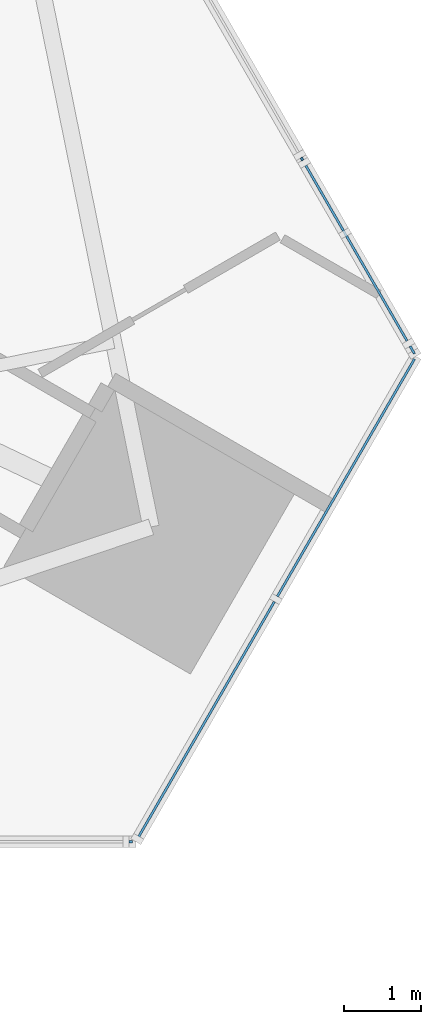
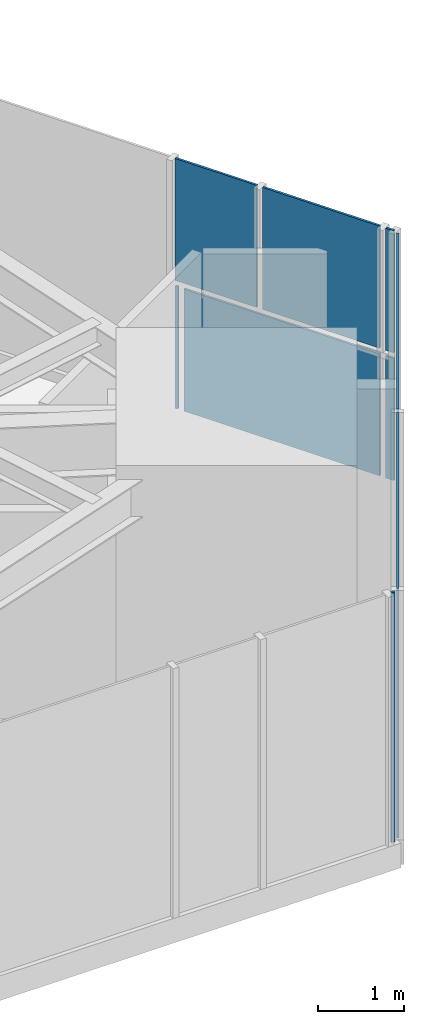
# One storey, part 18 of 32: 9 plates, 3 elements without a shape of their own.
"""IFC4 building model written with IfcOpenShell, lengths in metres."""

from ifc_helpers import new_model, si_unit, direction, frame, origin, place, context, subcontext, project, spatial, polyline, outline, extrude, material, layer, layer_set, type_object, element, aggregate, save


model = new_model("IFC4")

# Units and contexts
model_context = context("Model", 3, precision=1e-05, world=origin(), true_north=direction((0.0, 1.0)))
body_context = subcontext(model_context, "Body", "Model", "MODEL_VIEW")
ifc_project = project(units=[si_unit("LENGTHUNIT", "METRE"), si_unit("AREAUNIT", "SQUARE_METRE"), si_unit("VOLUMEUNIT", "CUBIC_METRE"), si_unit("PLANEANGLEUNIT", "RADIAN"), si_unit("MASSUNIT", "GRAM", prefix="KILO")], contexts=[model_context])

# Site, building, storey
site_placement = place(None, origin())
site = spatial("IfcSite", under=ifc_project, at=site_placement, CompositionType="ELEMENT")
building_placement = place(site_placement, origin())
building = spatial("IfcBuilding", under=site, at=building_placement, Name="Firuza Gate Tower and Library", CompositionType="ELEMENT")
storey_placement = place(building_placement, frame((0.0, 0.0, 163.60009765625)))
storey = spatial("IfcBuildingStorey", under=building, at=storey_placement, Name="L37", CompositionType="ELEMENT", Elevation=163.60009765625)

# Curtain wall, plates
ifc_material_1 = material(Name="Aluminium 6063-T6", Category="aluminium")
ifc_layer_1 = layer(ifc_material_1, 0.14990234375)
ifc_layer_set_1 = layer_set([ifc_layer_1], Name="Corner curtain wall, chamfers")
curtain_wall_type_1 = type_object("IfcCurtainWallType", Name="Corner curtain wall, chamfers", PredefinedType="NOTDEFINED", material=ifc_layer_set_1)
placement = place(storey_placement, origin())
curtain_wall_1 = element("IfcCurtainWall", 1, at=placement, inside=storey, type_object=curtain_wall_type_1, Name="CW4 L37 SE corner", PredefinedType="NOTDEFINED")
ifc_material_2 = material(Name="Fritted glass", Category="glass")
ifc_layer_2 = layer(ifc_material_2, 0.030029296875)
ifc_layer_set_2 = layer_set([ifc_layer_2], Name="Fritted glass unit, corners")
plate_type_1 = type_object("IfcPlateType", Name="Fritted glass unit, corners", PredefinedType="CURTAIN_PANEL", material=ifc_layer_set_2)
plate_1_placement = place(storey_placement, frame((102.23828125, 55.11328125, 0.14990234375), z_axis=(0.866046390552, -0.49996364809, 0.0), x_axis=(0.49996364809, 0.866046390552, 0.0)))
plate_1 = element("IfcPlate", 2, at=plate_1_placement, type_object=plate_type_1, Name="Glass unit", PredefinedType="CURTAIN_PANEL", context=body_context, shape_type="SweptSolid", body=[
    extrude(outline(polyline([(0.0, 0.0), (3.563247342942594, 0.0), (3.563247342942594, 3.550048828125), (0.0, 3.550048828125), (0.0, 0.0)])), origin(), (0.0, 0.0, -1.0), 0.030029296875),
])
plate_2_placement = place(storey_placement, frame((104.059814453125, 58.2685546875, 0.14990234375), z_axis=(0.866016723041, -0.500015035186, 0.0), x_axis=(0.500015035186, 0.866016723041, 0.0)))
plate_2 = element("IfcPlate", 3, at=plate_2_placement, type_object=plate_type_1, Name="Glass unit", PredefinedType="CURTAIN_PANEL", context=body_context, shape_type="SweptSolid", body=[
    extrude(outline(polyline([(0.0, 0.0), (3.5633694106530625, 0.0), (3.5633694106530625, 3.550048828125), (0.0, 3.550048828125), (0.0, 0.0)])), origin(), (0.0, 0.0, -1.0), 0.030029296875),
])
aggregate(curtain_wall_1, [plate_1, plate_2])

ifc_material_3 = material(Name="Aluminium 6063-T6", Category="aluminium")
ifc_layer_3 = layer(ifc_material_3, 0.14990234375)
ifc_layer_set_3 = layer_set([ifc_layer_3], Name="Unitised curtain wall, hotel")
curtain_wall_type_2 = type_object("IfcCurtainWallType", Name="Unitised curtain wall, hotel", PredefinedType="NOTDEFINED", material=ifc_layer_set_3)
curtain_wall_2 = element("IfcCurtainWall", 4, at=placement, inside=storey, type_object=curtain_wall_type_2, Name="CW2 L37 E face", PredefinedType="NOTDEFINED")
ifc_material_4 = material(Name="Fritted glass", Category="glass")
ifc_layer_4 = layer(ifc_material_4, 0.030029296875)
ifc_layer_set_4 = layer_set([ifc_layer_4], Name="Fritted glass unit, hotel")
plate_type_2 = type_object("IfcPlateType", Name="Fritted glass unit, hotel", PredefinedType="CURTAIN_PANEL", material=ifc_layer_set_4)
plate_3_placement = place(storey_placement, frame((105.744873046875, 61.60595703125, 0.14990234375), z_axis=(0.866014136579, 0.500019514865, 0.0), x_axis=(-0.500019514865, 0.866014136579, 0.0)))
plate_3 = element("IfcPlate", 5, at=plate_3_placement, type_object=plate_type_2, Name="Glass unit", PredefinedType="CURTAIN_PANEL", context=body_context, shape_type="SweptSolid", body=[
    extrude(outline(polyline([(0.0, 0.0), (2.632221483855625, 0.0), (2.632221483855625, 1.735107421875), (0.0, 1.735107421875), (0.0, 0.0)])), origin(), (0.0, 0.0, -1.0), 0.030029296875),
])
plate_4_placement = place(storey_placement, frame((105.744873046875, 61.60595703125, 1.96484375), z_axis=(0.866077077445, 0.499910487912, 0.0), x_axis=(-0.499910487912, 0.866077077445, 0.0)))
plate_4 = element("IfcPlate", 6, at=plate_4_placement, type_object=plate_type_2, Name="Glass unit", PredefinedType="CURTAIN_PANEL", context=body_context, shape_type="SweptSolid", body=[
    extrude(outline(polyline([(0.0, 0.0), (1.5735238863159609, 0.0), (1.5735238863159609, 1.735107421875), (0.0, 1.735107421875), (0.0, 0.0)])), origin(), (0.0, 0.0, -1.0), 0.030029296875),
])

# Curtain wall, plate
curtain_wall_3 = element("IfcCurtainWall", 7, at=placement, inside=storey, type_object=curtain_wall_type_2, Name="CW2 L37 S face", PredefinedType="NOTDEFINED")
ifc_material_5 = material(Name="Glazed ceramic tile")
ifc_layer_5 = layer(ifc_material_5, 0.030029296875)
ifc_layer_set_5 = layer_set([ifc_layer_5], Name="Opaque ceramic panel, hotel")
plate_type_3 = type_object("IfcPlateType", Name="Opaque ceramic panel, hotel", PredefinedType="CURTAIN_PANEL", material=ifc_layer_set_5)
plate_5_placement = place(storey_placement, frame((102.1171875, 55.071044921875, 0.14990234375), z_axis=(0.0, -1.0, 0.0), x_axis=(1.0, 0.0, 0.0)))
plate_5 = element("IfcPlate", 8, at=plate_5_placement, type_object=plate_type_3, Name="Opaque ceramic panel", PredefinedType="CURTAIN_PANEL", context=body_context, shape_type="SweptSolid", body=[
    extrude(outline(polyline([(0.0, 0.0), (0.048095703125, 0.0), (0.048095703125, 3.550048828125), (0.0, 3.550048828125), (0.0, 0.0)])), origin(), (0.0, 0.0, -1.0), 0.030029296875),
])
aggregate(curtain_wall_3, [plate_5])

# Plate
plate_6_placement = place(storey_placement, frame((105.841552734375, 61.438720703125, 0.14990234375), z_axis=(0.865574031608, 0.500780985868, 0.0), x_axis=(-0.500780985868, 0.865574031608, 0.0)))
plate_6 = element("IfcPlate", 9, at=plate_6_placement, type_object=plate_type_3, Name="Opaque ceramic panel", PredefinedType="CURTAIN_PANEL", context=body_context, shape_type="SweptSolid", body=[
    extrude(outline(polyline([(0.0, 0.0), (0.11310458383689945, 0.0), (0.11310458383689945, 1.735107421875), (0.0, 1.735107421875), (0.0, 0.0)])), origin(), (0.0, 0.0, -1.0), 0.030029296875),
])

plate_7_placement = place(storey_placement, frame((104.388916015625, 63.954833984375, 0.14990234375), z_axis=(0.865426285481, 0.501036270542, 0.0), x_axis=(-0.501036270542, 0.865426285481, 0.0)))
plate_7 = element("IfcPlate", 10, at=plate_7_placement, type_object=plate_type_3, Name="Opaque ceramic panel", PredefinedType="CURTAIN_PANEL", context=body_context, shape_type="SweptSolid", body=[
    extrude(outline(polyline([(0.0, 0.0), (0.03751989472673366, 0.0), (0.03751989472673366, 1.735107421875), (0.0, 1.735107421875), (0.0, 0.0)])), origin(), (0.0, 0.0, -1.0), 0.030029296875),
])

plate_8_placement = place(storey_placement, frame((105.841552734375, 61.438720703125, 1.96484375), z_axis=(0.865574031608, 0.500780985868, 0.0), x_axis=(-0.500780985868, 0.865574031608, 0.0)))
plate_8 = element("IfcPlate", 11, at=plate_8_placement, type_object=plate_type_3, Name="Opaque ceramic panel", PredefinedType="CURTAIN_PANEL", context=body_context, shape_type="SweptSolid", body=[
    extrude(outline(polyline([(0.0, 0.0), (0.11310458383689945, 0.0), (0.11310458383689945, 1.735107421875), (0.0, 1.735107421875), (0.0, 0.0)])), origin(), (0.0, 0.0, -1.0), 0.030029296875),
])

plate_9_placement = place(storey_placement, frame((104.918212890625, 63.037841796875, 1.96484375), z_axis=(0.866055796367, 0.499947354807, 0.0), x_axis=(-0.499947354807, 0.866055796367, 0.0)))
plate_9 = element("IfcPlate", 12, at=plate_9_placement, type_object=plate_type_3, Name="Opaque ceramic panel", PredefinedType="CURTAIN_PANEL", context=body_context, shape_type="SweptSolid", body=[
    extrude(outline(polyline([(0.0, 0.0), (1.0963068368199063, 0.0), (1.0963068368199063, 1.735107421875), (0.0, 1.735107421875), (0.0, 0.0)])), origin(), (0.0, 0.0, -1.0), 0.030029296875),
])

aggregate(curtain_wall_2, [plate_6, plate_3, plate_7, plate_8, plate_4, plate_9])

save(model, "model.ifc")
